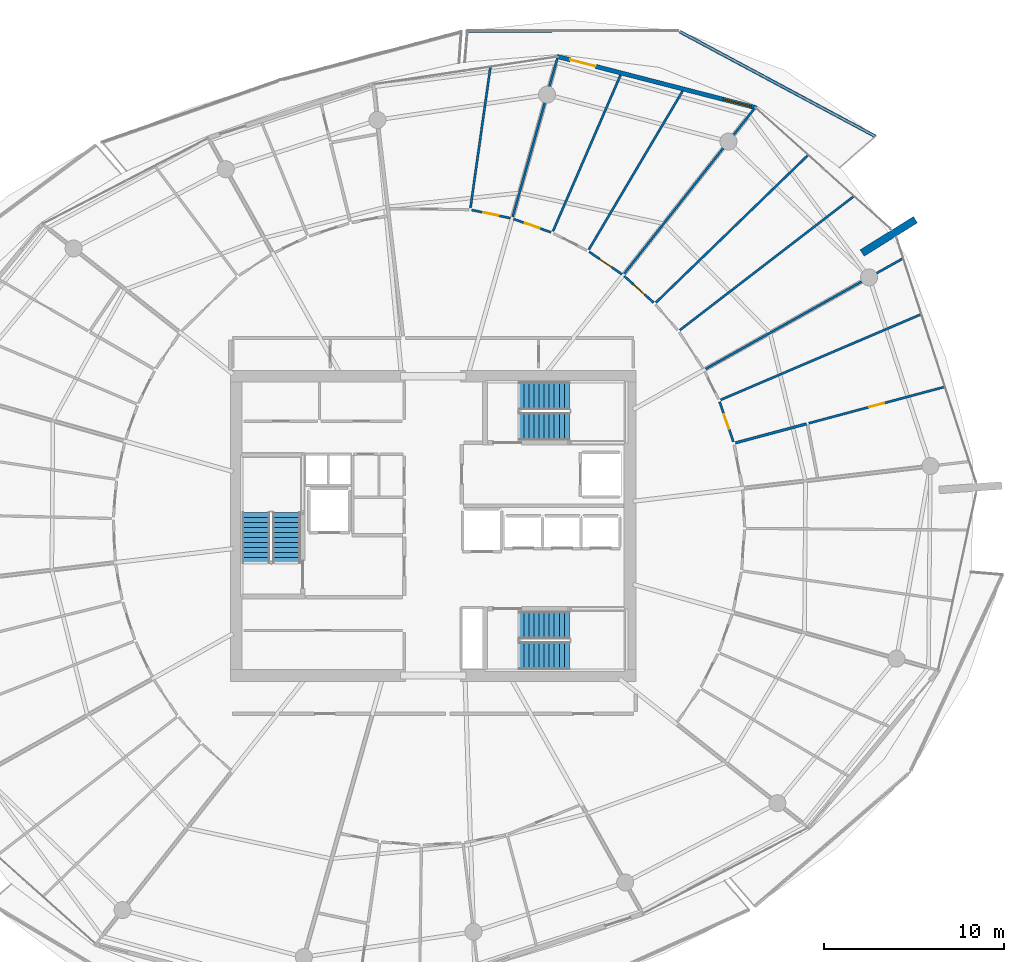
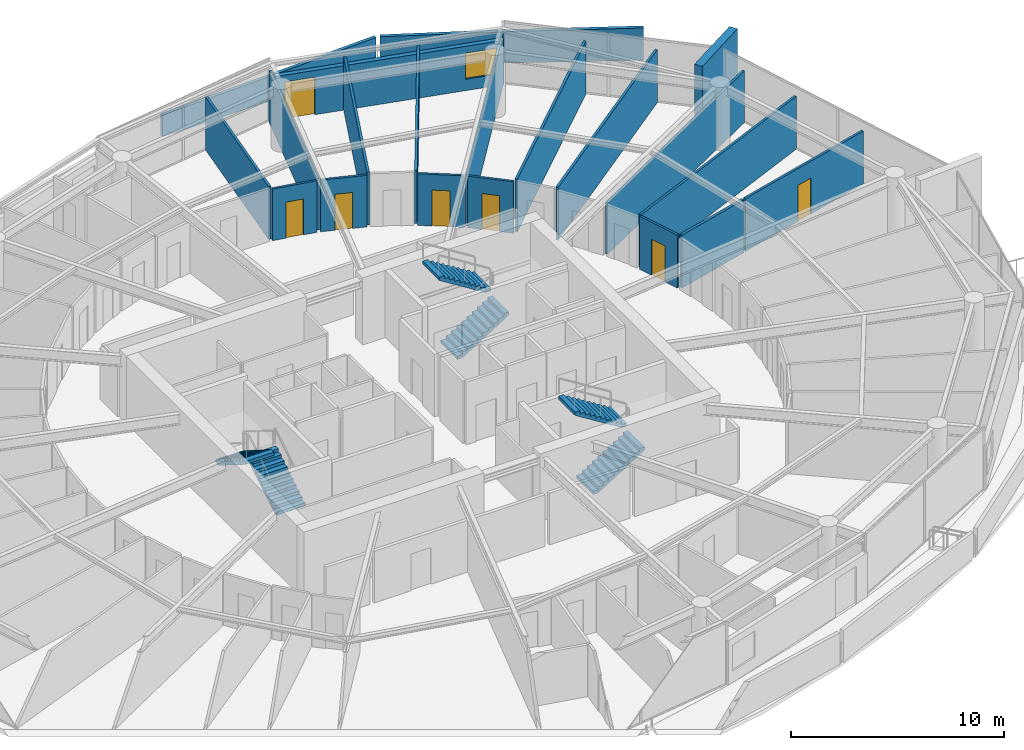
# One storey, part 23 of 30: 20 walls, 7 doors, 6 stair flights, 1 window, 8 openings, 3 elements without a shape of their own.
"""IFC4 building model written with IfcOpenShell, lengths in metres."""

from ifc_helpers import new_model, si_unit, direction, frame, frame_2d, origin, place, context, subcontext, project, spatial, polyline, rectangle, outline, extrude, material, layer, layer_set, type_object, element, fill, aggregate, save


model = new_model("IFC4")

# Units and contexts
model_context = context("Model", 3, precision=1e-05, world=origin(), true_north=direction((0.0, 1.0)))
body_context = subcontext(model_context, "Body", "Model", "MODEL_VIEW")
ifc_project = project(units=[si_unit("LENGTHUNIT", "METRE"), si_unit("AREAUNIT", "SQUARE_METRE"), si_unit("VOLUMEUNIT", "CUBIC_METRE"), si_unit("PLANEANGLEUNIT", "RADIAN"), si_unit("MASSUNIT", "GRAM", prefix="KILO")], contexts=[model_context])

# Site, building, storey
site_placement = place(None, origin())
site = spatial("IfcSite", under=ifc_project, at=site_placement, CompositionType="ELEMENT")
building_placement = place(site_placement, origin())
building = spatial("IfcBuilding", under=site, at=building_placement, Name="Kazma Halo Residences", CompositionType="ELEMENT")
storey_placement = place(building_placement, frame((0.0, 0.0, 263.64990234375)))
storey = spatial("IfcBuildingStorey", under=building, at=storey_placement, Name="L66", CompositionType="ELEMENT", Elevation=263.64990234375)

# Walls
ifc_material_1 = material(Name="White Concrete C50/60 Balustrade", Category="concrete")
ifc_layer_1 = layer(ifc_material_1, 0.179931640625)
ifc_layer_set_1 = layer_set([ifc_layer_1], Name="White Concrete C50/60 Balustrade")
wall_type_1 = type_object("IfcWallType", Name="WL-BAL-WAVE-180", PredefinedType="PARAPET", material=ifc_layer_set_1)
wall_1_placement = place(storey_placement, frame((73.03759765625, 63.650146484375, 0.0), z_axis=(0.0, 0.0, 1.0), x_axis=(-0.881580944095, 0.472032879161, 0.0)))
element("IfcWall", 1, at=wall_1_placement, inside=storey, type_object=wall_type_1, Name="L66 white wave balustrade wall NE.1", PredefinedType="PARAPET", context=body_context, shape_type="SweptSolid", body=[
    extrude(outline(polyline([(0.0, 0.0), (12.3623046875, 0.0), (12.3623046875, 1.632080078125), (6.18115234375, 1.798095703125), (0.0, 1.860107421875), (0.0, 0.0)])), frame((0.0, 0.08984375, 0.0), z_axis=(0.0, -1.0, 0.0), x_axis=(1.0, 0.0, 0.0)), (0.0, 0.0, 1.0), 0.179931640625),
])
wall_2_placement = place(storey_placement, frame((61.913330078125, 69.5419921875, 0.0), z_axis=(0.0, 0.0, 1.0), x_axis=(-0.999999919723, -0.000400691688, 0.0)))
element("IfcWall", 2, at=wall_2_placement, inside=storey, type_object=wall_type_1, Name="L66 white wave balustrade wall NE.2", PredefinedType="PARAPET", context=body_context, shape_type="SweptSolid", body=[
    extrude(outline(polyline([(0.0, 0.0), (11.57666015625, 0.0), (11.576904296875, 1.233154296875), (5.788330078125, 1.418212890625), (0.0, 1.632080078125), (0.0, 0.0)])), frame((0.0, 0.08984375, 0.0), z_axis=(0.0, -1.0, 0.0), x_axis=(1.0, 0.0, 0.0)), (0.0, 0.0, 1.0), 0.179931640625),
])
ifc_material_2 = material(Name="Pale Concrete C60/75", Category="concrete")
ifc_layer_2 = layer(ifc_material_2, 0.419921875)
ifc_layer_set_2 = layer_set([ifc_layer_2], Name="Pale Concrete C60/75")
wall_type_2 = type_object("IfcWallType", Name="WL-BLADE-420", PredefinedType="SOLIDWALL", material=ifc_layer_set_2)
wall_3_placement = place(storey_placement, frame((72.281494140625, 57.172607421875, 0.0), z_axis=(0.0, 0.0, 1.0), x_axis=(0.848033572426, 0.529942506352, 0.0)))
element("IfcWall", 3, at=wall_3_placement, inside=storey, type_object=wall_type_2, Name="L66 pale concrete structural blade fin wall BW-01", PredefinedType="SOLIDWALL", context=body_context, shape_type="SweptSolid", body=[
    extrude(rectangle(XDim=3.5, YDim=0.419921875, at=frame_2d((1.75, 0.0))), origin(), (0.0, 0.0, 1.0), 3.85009765625),
])

# Wall, openings, door, window
ifc_material_3 = material(Name="Insulated Pale-Metal Composite Wall")
ifc_layer_3 = layer(ifc_material_3, 0.239990234375)
ifc_layer_set_3 = layer_set([ifc_layer_3], Name="Insulated Pale-Metal Composite Wall")
wall_type_3 = type_object("IfcWallType", Name="WL-EXT-HOST-240", PredefinedType="SOLIDWALL", material=ifc_layer_set_3)
wall_4_placement = place(storey_placement, frame((66.386474609375, 65.2490234375, 0.0), z_axis=(0.0, 0.0, 1.0), x_axis=(-0.968343758421, 0.249620442927, 0.0)))
wall_4 = element("IfcWall", 4, at=wall_4_placement, inside=storey, type_object=wall_type_3, Name="L66 exterior terrace-access wall B02", PredefinedType="SOLIDWALL", context=body_context, shape_type="SweptSolid", body=[
    extrude(rectangle(XDim=11.438232421875, YDim=0.239990234375, at=frame_2d((5.71923828125, 0.0))), origin(), (0.0, 0.0, 1.0), 2.5400390625),
])
opening_1_placement = place(wall_4_placement, frame((9.21826171875, 0.0, 0.0)))
opening_1 = element("IfcOpeningElement", 5, at=opening_1_placement, cuts=wall_4, Name="Opening DTR-1600", PredefinedType="OPENING", context=body_context, shape_type="SweptSolid", body=[
    extrude(rectangle(XDim=1.449951171875, YDim=2.14990234375, at=frame_2d((0.72509765625, 1.074951171875))), frame((0.0, 0.1298828125, 0.0), z_axis=(0.0, -1.0, 0.0), x_axis=(1.0, 0.0, 0.0)), (0.0, 0.0, 1.0), 0.260009765625),
])
opening_2_placement = place(wall_4_placement, frame((0.280029296875, 0.0, 0.64990234375)))
opening_2 = element("IfcOpeningElement", 6, at=opening_2_placement, cuts=wall_4, Name="Opening W-1800", PredefinedType="OPENING", context=body_context, shape_type="SweptSolid", body=[
    extrude(rectangle(XDim=1.60009765625, YDim=1.5, at=frame_2d((0.800048828125, 0.75))), frame((0.0, 0.1298828125, 0.0), z_axis=(0.0, -1.0, 0.0), x_axis=(1.0, 0.0, 0.0)), (0.0, 0.0, 1.0), 0.260009765625),
])
ifc_material_4 = material(Name="Aluminium AW-6063 T6 Double-Glazed Terrace Door", Category="aluminium")
door_type_1 = type_object("IfcDoorType", Name="DR-EXT-TERR-1600", OperationType="NOTDEFINED", PredefinedType="DOOR", material=ifc_material_4)
door_1_placement = place(opening_1_placement, origin())
door_1 = element("IfcDoor", 7, at=door_1_placement, inside=storey, type_object=door_type_1, Name="L66 B02 balcony terrace door", OperationType="DOUBLE_DOOR_SLIDING", OverallHeight=2.14990234375, OverallWidth=1.449951171875, PredefinedType="DOOR", context=body_context, shape_type="SweptSolid", body=[
    extrude(rectangle(XDim=1.449951171875, YDim=2.14990234375, at=frame_2d((0.72509765625, 1.074951171875))), frame((0.0, 0.02490234375, 0.0), z_axis=(0.0, -1.0, 0.0), x_axis=(1.0, 0.0, 0.0)), (0.0, 0.0, 1.0), 0.050048828125),
])
fill(opening_1, door_1)
ifc_material_5 = material(Name="Clear Triple-Silver Low-E Glass in Aluminium AW-6063 T6 Frame", Category="aluminium")
window_type = type_object("IfcWindowType", Name="WIN-RES-1800", PartitioningType="DOUBLE_PANEL_VERTICAL", PredefinedType="WINDOW", material=ifc_material_5)
window_placement = place(opening_2_placement, origin())
window = element("IfcWindow", 8, at=window_placement, inside=storey, type_object=window_type, Name="L66 B02 apartment window", OverallHeight=1.5, OverallWidth=1.60009765625, PartitioningType="SINGLE_PANEL", PredefinedType="WINDOW", context=body_context, shape_type="SweptSolid", body=[
    extrude(rectangle(XDim=1.60009765625, YDim=1.5, at=frame_2d((0.800048828125, 0.75))), frame((0.0, 0.030029296875, 0.0), z_axis=(0.0, -1.0, 0.0), x_axis=(1.0, 0.0, 0.0)), (0.0, 0.0, 1.0), 0.06005859375),
])
fill(opening_2, window)

# Wall, opening, door
ifc_material_6 = material(Name="Gypsum Plasterboard Partition")
ifc_layer_4 = layer(ifc_material_6, 0.125)
ifc_layer_set_4 = layer_set([ifc_layer_4], Name="Gypsum Plasterboard Partition")
wall_type_4 = type_object("IfcWallType", Name="WL-PART-125", PredefinedType="PARTITIONING", material=ifc_layer_set_4)
wall_5_placement = place(storey_placement, frame((69.31640625, 47.705810546875, 0.0), z_axis=(0.0, 0.0, 1.0), x_axis=(0.965994578585, 0.258562321587, 0.0)))
wall_5 = element("IfcWall", 9, at=wall_5_placement, inside=storey, type_object=wall_type_4, Name="L66 Apartment 2 Gulf Walk-In Wardrobe partition wall", PredefinedType="PARTITIONING", context=body_context, shape_type="SweptSolid", body=[
    extrude(rectangle(XDim=7.819091796875, YDim=0.125, at=frame_2d((3.90966796875, 0.0))), origin(), (0.0, 0.0, 1.0), 3.030029296875),
])
opening_3_placement = place(wall_5_placement, frame((3.484619140625, 0.0, 0.0)))
opening_3 = element("IfcOpeningElement", 10, at=opening_3_placement, cuts=wall_5, Name="Opening DB-900", PredefinedType="OPENING", context=body_context, shape_type="SweptSolid", body=[
    extrude(rectangle(XDim=0.85009765625, YDim=2.06005859375, at=frame_2d((0.425048828125, 1.030029296875))), frame((0.0, 0.072509765625, 0.0), z_axis=(0.0, -1.0, 0.0), x_axis=(1.0, 0.0, 0.0)), (0.0, 0.0, 1.0), 0.14501953125),
])
ifc_material_7 = material(Name="Moisture-Sealed Timber Leaf", Category="wood")
door_type_2 = type_object("IfcDoorType", Name="DR-BTH-900", OperationType="NOTDEFINED", PredefinedType="DOOR", material=ifc_material_7)
door_2_placement = place(opening_3_placement, origin())
door_2 = element("IfcDoor", 11, at=door_2_placement, inside=storey, type_object=door_type_2, Name="L66 Apartment 2 Gulf Walk-In Wardrobe door", OperationType="SINGLE_SWING_LEFT", OverallHeight=2.06005859375, OverallWidth=0.85009765625, PredefinedType="DOOR", context=body_context, shape_type="SweptSolid", body=[
    extrude(rectangle(XDim=0.85009765625, YDim=2.06005859375, at=frame_2d((0.425048828125, 1.030029296875))), frame((0.0, 0.02490234375, 0.0), z_axis=(0.0, -1.0, 0.0), x_axis=(1.0, 0.0, 0.0)), (0.0, 0.0, 1.0), 0.050048828125),
])
fill(opening_3, door_2)

# Wall
wall_6_placement = place(storey_placement, frame((64.4140625, 49.006591796875, 0.0), z_axis=(0.0, 0.0, 1.0), x_axis=(0.919713089111, 0.392591178858, 0.0)))
element("IfcWall", 12, at=wall_6_placement, inside=storey, type_object=wall_type_4, Name="L66 Apartment 2 suite divider 15", PredefinedType="PARTITIONING", context=body_context, shape_type="SweptSolid", body=[
    extrude(rectangle(XDim=12.1171875, YDim=0.125, at=frame_2d((6.05859375, 0.0))), origin(), (0.0, 0.0, 1.0), 3.030029296875),
])

# Wall, opening, door
wall_7_placement = place(storey_placement, frame((65.123779296875, 46.676513671875, 0.0), z_axis=(0.0, 0.0, 1.0), x_axis=(-0.326410460833, 0.945228126464, 0.0)))
wall_7 = element("IfcWall", 13, at=wall_7_placement, inside=storey, type_object=wall_type_4, Name="L66 Apartment 2 Primary Formal Dining Room hall wall", PredefinedType="PARTITIONING", context=body_context, shape_type="SweptSolid", body=[
    extrude(rectangle(XDim=2.347900390625, YDim=0.125, at=frame_2d((1.173828125, 0.0))), origin(), (0.0, 0.0, 1.0), 3.030029296875),
])
opening_4_placement = place(wall_7_placement, frame((0.748779296875, 0.0, 0.0)))
opening_4 = element("IfcOpeningElement", 14, at=opening_4_placement, cuts=wall_7, Name="Opening DB-900", PredefinedType="OPENING", context=body_context, shape_type="SweptSolid", body=[
    extrude(rectangle(XDim=0.85009765625, YDim=2.06005859375, at=frame_2d((0.425048828125, 1.030029296875))), frame((0.0, 0.072509765625, 0.0), z_axis=(0.0, -1.0, 0.0), x_axis=(1.0, 0.0, 0.0)), (0.0, 0.0, 1.0), 0.14501953125),
])
door_3_placement = place(opening_4_placement, origin())
door_3 = element("IfcDoor", 15, at=door_3_placement, inside=storey, type_object=door_type_2, Name="L66 Apartment 2 Primary Formal Dining Room door", OperationType="SINGLE_SWING_RIGHT", OverallHeight=2.06005859375, OverallWidth=0.85009765625, PredefinedType="DOOR", context=body_context, shape_type="SweptSolid", body=[
    extrude(rectangle(XDim=0.85009765625, YDim=2.06005859375, at=frame_2d((0.425048828125, 1.030029296875))), frame((0.0, 0.02490234375, 0.0), z_axis=(0.0, -1.0, 0.0), x_axis=(1.0, 0.0, 0.0)), (0.0, 0.0, 1.0), 0.050048828125),
])
fill(opening_4, door_3)

# Walls
wall_8_placement = place(storey_placement, frame((63.580078125, 50.725341796875, 0.0), z_axis=(0.0, 0.0, 1.0), x_axis=(0.872497075405, 0.488619333847, 0.0)))
element("IfcWall", 16, at=wall_8_placement, inside=storey, type_object=wall_type_4, Name="L66 Apartment 2 radial partition 0", PredefinedType="PARTITIONING", context=body_context, shape_type="SweptSolid", body=[
    extrude(rectangle(XDim=12.57275390625, YDim=0.125, at=frame_2d((6.286376953125, 0.0))), origin(), (0.0, 0.0, 1.0), 2.95703125),
])
wall_9_placement = place(storey_placement, frame((62.144775390625, 52.883056640625, 0.0), z_axis=(0.0, 0.0, 1.0), x_axis=(0.792559235325, 0.609794931514, 0.0)))
element("IfcWall", 17, at=wall_9_placement, inside=storey, type_object=wall_type_4, Name="L66 Apartment 2 bay wall 1 0", PredefinedType="PARTITIONING", context=body_context, shape_type="SweptSolid", body=[
    extrude(rectangle(XDim=12.19482421875, YDim=0.125, at=frame_2d((6.097412109375, 0.0))), origin(), (0.0, 0.0, 1.0), 3.030029296875),
])
wall_10_placement = place(storey_placement, frame((60.81640625, 54.419921875, 0.0), z_axis=(0.0, 0.0, 1.0), x_axis=(0.718125449467, 0.695913671965, 0.0)))
element("IfcWall", 18, at=wall_10_placement, inside=storey, type_object=wall_type_4, Name="L66 Apartment 2 bay wall 2 0", PredefinedType="PARTITIONING", context=body_context, shape_type="SweptSolid", body=[
    extrude(rectangle(XDim=11.760986328125, YDim=0.125, at=frame_2d((5.88037109375, 0.0))), origin(), (0.0, 0.0, 1.0), 3.030029296875),
])

# Wall, opening, door
wall_11_placement = place(storey_placement, frame((60.6923828125, 54.410888671875, 0.0), z_axis=(0.0, 0.0, 1.0), x_axis=(-0.742216123335, 0.670160597365, 0.0)))
wall_11 = element("IfcWall", 19, at=wall_11_placement, inside=storey, type_object=wall_type_4, Name="L66 Apartment 2 North Master Bedroom hall wall", PredefinedType="PARTITIONING", context=body_context, shape_type="SweptSolid", body=[
    extrude(rectangle(XDim=2.209228515625, YDim=0.125, at=frame_2d((1.1044921875, 0.0))), origin(), (0.0, 0.0, 1.0), 2.95703125),
])
opening_5_placement = place(wall_11_placement, frame((0.6796875, 0.0, 0.0)))
opening_5 = element("IfcOpeningElement", 20, at=opening_5_placement, cuts=wall_11, Name="Opening DB-900", PredefinedType="OPENING", context=body_context, shape_type="SweptSolid", body=[
    extrude(rectangle(XDim=0.85009765625, YDim=2.06005859375, at=frame_2d((0.425048828125, 1.030029296875))), frame((0.0, 0.072509765625, 0.0), z_axis=(0.0, -1.0, 0.0), x_axis=(1.0, 0.0, 0.0)), (0.0, 0.0, 1.0), 0.14501953125),
])
door_4_placement = place(opening_5_placement, origin())
door_4 = element("IfcDoor", 21, at=door_4_placement, inside=storey, type_object=door_type_2, Name="L66 Apartment 2 North Master Bedroom door", OperationType="SINGLE_SWING_RIGHT", OverallHeight=2.06005859375, OverallWidth=0.85009765625, PredefinedType="DOOR", context=body_context, shape_type="SweptSolid", body=[
    extrude(rectangle(XDim=0.85009765625, YDim=2.06005859375, at=frame_2d((0.425048828125, 1.030029296875))), frame((0.0, 0.02490234375, 0.0), z_axis=(0.0, -1.0, 0.0), x_axis=(1.0, 0.0, 0.0)), (0.0, 0.0, 1.0), 0.050048828125),
])
fill(opening_5, door_4)

# Walls
wall_12_placement = place(storey_placement, frame((59.05517578125, 56.0234375, 0.0), z_axis=(0.0, 0.0, 1.0), x_axis=(0.619096573209, 0.785314862358, 0.0)))
element("IfcWall", 22, at=wall_12_placement, inside=storey, type_object=wall_type_4, Name="L66 Apartment 2 radial partition 1", PredefinedType="PARTITIONING", context=body_context, shape_type="SweptSolid", body=[
    extrude(rectangle(XDim=11.738525390625, YDim=0.125, at=frame_2d((5.869140625, 0.0))), origin(), (0.0, 0.0, 1.0), 2.95703125),
])
wall_13_placement = place(storey_placement, frame((57.084716796875, 57.36181640625, 0.0), z_axis=(0.0, 0.0, 1.0), x_axis=(0.509063310171, 0.860729078304, 0.0)))
element("IfcWall", 23, at=wall_13_placement, inside=storey, type_object=wall_type_4, Name="L66 Apartment 2 bay wall 1 1", PredefinedType="PARTITIONING", context=body_context, shape_type="SweptSolid", body=[
    extrude(rectangle(XDim=10.243408203125, YDim=0.125, at=frame_2d((5.12158203125, 0.0))), origin(), (0.0, 0.0, 1.0), 3.030029296875),
])
wall_14_placement = place(storey_placement, frame((55.087890625, 58.379150390625, 0.0), z_axis=(0.0, 0.0, 1.0), x_axis=(0.397148424815, 0.917754394523, 0.0)))
element("IfcWall", 24, at=wall_14_placement, inside=storey, type_object=wall_type_4, Name="L66 Apartment 2 bay wall 2 1", PredefinedType="PARTITIONING", context=body_context, shape_type="SweptSolid", body=[
    extrude(rectangle(XDim=9.46435546875, YDim=0.125, at=frame_2d((4.732177734375, 0.0))), origin(), (0.0, 0.0, 1.0), 3.030029296875),
])

# Wall, opening, door
wall_15_placement = place(storey_placement, frame((58.92724609375, 55.989990234375, 0.0), z_axis=(0.0, 0.0, 1.0), x_axis=(-0.824840756185, 0.565365127096, 0.0)))
wall_15 = element("IfcWall", 25, at=wall_15_placement, inside=storey, type_object=wall_type_4, Name="L66 Apartment 2 South Bedroom hall wall", PredefinedType="PARTITIONING", context=body_context, shape_type="SweptSolid", body=[
    extrude(rectangle(XDim=2.209228515625, YDim=0.125, at=frame_2d((1.1044921875, 0.0))), origin(), (0.0, 0.0, 1.0), 2.95703125),
])
opening_6_placement = place(wall_15_placement, frame((0.6796875, 0.0, 0.0)))
opening_6 = element("IfcOpeningElement", 26, at=opening_6_placement, cuts=wall_15, Name="Opening DB-900", PredefinedType="OPENING", context=body_context, shape_type="SweptSolid", body=[
    extrude(rectangle(XDim=0.85009765625, YDim=2.06005859375, at=frame_2d((0.425048828125, 1.030029296875))), frame((0.0, 0.072509765625, 0.0), z_axis=(0.0, -1.0, 0.0), x_axis=(1.0, 0.0, 0.0)), (0.0, 0.0, 1.0), 0.14501953125),
])
door_5_placement = place(opening_6_placement, origin())
door_5 = element("IfcDoor", 27, at=door_5_placement, inside=storey, type_object=door_type_2, Name="L66 Apartment 2 South Bedroom door", OperationType="SINGLE_SWING_LEFT", OverallHeight=2.06005859375, OverallWidth=0.85009765625, PredefinedType="DOOR", context=body_context, shape_type="SweptSolid", body=[
    extrude(rectangle(XDim=0.85009765625, YDim=2.06005859375, at=frame_2d((0.425048828125, 1.030029296875))), frame((0.0, 0.02490234375, 0.0), z_axis=(0.0, -1.0, 0.0), x_axis=(1.0, 0.0, 0.0)), (0.0, 0.0, 1.0), 0.050048828125),
])
fill(opening_6, door_5)

wall_16_placement = place(storey_placement, frame((54.976806640625, 58.323486328125, 0.0), z_axis=(0.0, 0.0, 1.0), x_axis=(-0.942218566557, 0.334998765423, 0.0)))
wall_16 = element("IfcWall", 28, at=wall_16_placement, inside=storey, type_object=wall_type_4, Name="L66 Apartment 2 Outer Bedroom hall wall", PredefinedType="PARTITIONING", context=body_context, shape_type="SweptSolid", body=[
    extrude(rectangle(XDim=2.208984375, YDim=0.125, at=frame_2d((1.1044921875, 0.0))), origin(), (0.0, 0.0, 1.0), 2.95703125),
])
opening_7_placement = place(wall_16_placement, frame((0.679443359375, 0.0, 0.0)))
opening_7 = element("IfcOpeningElement", 29, at=opening_7_placement, cuts=wall_16, Name="Opening DB-900", PredefinedType="OPENING", context=body_context, shape_type="SweptSolid", body=[
    extrude(rectangle(XDim=0.85009765625, YDim=2.06005859375, at=frame_2d((0.425048828125, 1.030029296875))), frame((0.0, 0.072509765625, 0.0), z_axis=(0.0, -1.0, 0.0), x_axis=(1.0, 0.0, 0.0)), (0.0, 0.0, 1.0), 0.14501953125),
])
door_6_placement = place(opening_7_placement, origin())
door_6 = element("IfcDoor", 30, at=door_6_placement, inside=storey, type_object=door_type_2, Name="L66 Apartment 2 Outer Bedroom door", OperationType="SINGLE_SWING_LEFT", OverallHeight=2.06005859375, OverallWidth=0.85009765625, PredefinedType="DOOR", context=body_context, shape_type="SweptSolid", body=[
    extrude(rectangle(XDim=0.85009765625, YDim=2.06005859375, at=frame_2d((0.425048828125, 1.030029296875))), frame((0.0, 0.02490234375, 0.0), z_axis=(0.0, -1.0, 0.0), x_axis=(1.0, 0.0, 0.0)), (0.0, 0.0, 1.0), 0.050048828125),
])
fill(opening_7, door_6)

# Walls
wall_17_placement = place(storey_placement, frame((52.84716796875, 59.1865234375, 0.0), z_axis=(0.0, 0.0, 1.0), x_axis=(0.271434117828, 0.96245702225, 0.0)))
element("IfcWall", 31, at=wall_17_placement, inside=storey, type_object=wall_type_4, Name="L66 Apartment 2 radial partition 2", PredefinedType="PARTITIONING", context=body_context, shape_type="SweptSolid", body=[
    extrude(rectangle(XDim=9.127685546875, YDim=0.125, at=frame_2d((4.56396484375, 0.0))), origin(), (0.0, 0.0, 1.0), 2.95703125),
])
wall_18_placement = place(storey_placement, frame((50.500732421875, 59.6708984375, 0.0), z_axis=(0.0, 0.0, 1.0), x_axis=(0.140142335256, 0.990131367986, 0.0)))
element("IfcWall", 32, at=wall_18_placement, inside=storey, type_object=wall_type_4, Name="L66 Apartment 2 mid-bay wall 2", PredefinedType="PARTITIONING", context=body_context, shape_type="SweptSolid", body=[
    extrude(rectangle(XDim=7.910888671875, YDim=0.125, at=frame_2d((3.95556640625, 0.0))), origin(), (0.0, 0.0, 1.0), 3.030029296875),
])

# Wall, opening, door
wall_19_placement = place(storey_placement, frame((52.72216796875, 59.11083984375, 0.0), z_axis=(0.0, 0.0, 1.0), x_axis=(-0.978503905914, 0.206228286399, 0.0)))
wall_19 = element("IfcWall", 33, at=wall_19_placement, inside=storey, type_object=wall_type_4, Name="L66 Apartment 2 Corner Bedroom hall wall", PredefinedType="PARTITIONING", context=body_context, shape_type="SweptSolid", body=[
    extrude(rectangle(XDim=2.203125, YDim=0.125, at=frame_2d((1.1015625, 0.0))), origin(), (0.0, 0.0, 1.0), 2.95703125),
])
opening_8_placement = place(wall_19_placement, frame((0.676513671875, 0.0, 0.0)))
opening_8 = element("IfcOpeningElement", 34, at=opening_8_placement, cuts=wall_19, Name="Opening DB-900", PredefinedType="OPENING", context=body_context, shape_type="SweptSolid", body=[
    extrude(rectangle(XDim=0.85009765625, YDim=2.06005859375, at=frame_2d((0.425048828125, 1.030029296875))), frame((0.0, 0.072509765625, 0.0), z_axis=(0.0, -1.0, 0.0), x_axis=(1.0, 0.0, 0.0)), (0.0, 0.0, 1.0), 0.14501953125),
])
door_7_placement = place(opening_8_placement, origin())
door_7 = element("IfcDoor", 35, at=door_7_placement, inside=storey, type_object=door_type_2, Name="L66 Apartment 2 Corner Bedroom door", OperationType="SINGLE_SWING_LEFT", OverallHeight=2.06005859375, OverallWidth=0.85009765625, PredefinedType="DOOR", context=body_context, shape_type="SweptSolid", body=[
    extrude(rectangle(XDim=0.85009765625, YDim=2.06005859375, at=frame_2d((0.425048828125, 1.030029296875))), frame((0.0, 0.02490234375, 0.0), z_axis=(0.0, -1.0, 0.0), x_axis=(1.0, 0.0, 0.0)), (0.0, 0.0, 1.0), 0.050048828125),
])
fill(opening_8, door_7)

# Wall
ifc_material_8 = material(Name="Moisture-Resistant Gypsum")
ifc_layer_5 = layer(ifc_material_8, 0.14990234375)
ifc_layer_set_5 = layer_set([ifc_layer_5], Name="Moisture-Resistant Gypsum")
wall_type_5 = type_object("IfcWallType", Name="WL-WET-150", PredefinedType="PARTITIONING", material=ifc_layer_set_5)
wall_20_placement = place(storey_placement, frame((65.239990234375, 46.61474609375, 0.0), z_axis=(0.0, 0.0, 1.0), x_axis=(0.9660037078, 0.258528212228, 0.0)))
element("IfcWall", 36, at=wall_20_placement, inside=storey, type_object=wall_type_5, Name="L66 Apartment 2 Sky En-Suite Bathroom side wall", PredefinedType="PARTITIONING", context=body_context, shape_type="SweptSolid", body=[
    extrude(rectangle(XDim=4.090087890625, YDim=0.14990234375, at=frame_2d((2.044921875, 0.0))), origin(), (0.0, 0.0, 1.0), 3.030029296875),
])

# Stair, stair flights
ifc_material_9 = material(Name="Concrete C50/60", Category="concrete")
stair_type = type_object("IfcStairType", Name="STR-RES2", PredefinedType="HALF_TURN_STAIR", material=ifc_material_9)
stair_1_placement = place(storey_placement, origin())
stair_1 = element("IfcStair", 37, at=stair_1_placement, inside=storey, type_object=stair_type, Name="L66 Core exit stair ST-01", PredefinedType="HALF_TURN_STAIR")
stair_flight_type = type_object("IfcStairFlightType", Name="STR-RES2-FLT", PredefinedType="STRAIGHT", material=ifc_material_9)
stair_flight_1_placement = place(storey_placement, frame((40.27490234375, 39.949951171875, 0.0), z_axis=(0.0, 0.0, 1.0), x_axis=(0.0, 1.0, 0.0)))
stair_flight_1 = element("IfcStairFlight", 38, at=stair_flight_1_placement, type_object=stair_flight_type, Name="ST-01 flight 1", NumberOfRisers=11, NumberOfTreads=10, PredefinedType="STRAIGHT", RiserHeight=0.175, TreadLength=0.28, context=body_context, shape_type="SweptSolid", body=[
    extrude(outline(polyline([(0.0, 0.0), (0.0, 0.175048828125), (0.280029296875, 0.175048828125), (0.280029296875, 0.35009765625), (0.56005859375, 0.35009765625), (0.56005859375, 0.52490234375), (0.840087890625, 0.52490234375), (0.840087890625, 0.699951171875), (1.1201171875, 0.699951171875), (1.1201171875, 0.875), (1.39990234375, 0.875), (1.39990234375, 1.050048828125), (1.679931640625, 1.050048828125), (1.679931640625, 1.22509765625), (1.9599609375, 1.22509765625), (1.9599609375, 1.39990234375), (2.239990234375, 1.39990234375), (2.239990234375, 1.574951171875), (2.52001953125, 1.574951171875), (2.52001953125, 1.75), (2.800048828125, 1.75), (2.800048828125, 1.925048828125), (2.800048828125, 1.5732421875), (0.28271484375, 0.0), (0.0, 0.0)])), frame((0.0, 0.77490234375, 0.0), z_axis=(0.0, -1.0, 0.0), x_axis=(1.0, 0.0, 0.0)), (0.0, 0.0, 1.0), 1.550048828125),
])
stair_flight_2_placement = place(storey_placement, frame((38.574951171875, 42.75, 1.925048828125), z_axis=(0.0, 0.0, 1.0), x_axis=(0.0, -1.0, 0.0)))
stair_flight_2 = element("IfcStairFlight", 39, at=stair_flight_2_placement, type_object=stair_flight_type, Name="ST-01 flight 2", NumberOfRisers=11, NumberOfTreads=10, PredefinedType="STRAIGHT", RiserHeight=0.175, TreadLength=0.28, context=body_context, shape_type="SweptSolid", body=[
    extrude(outline(polyline([(0.0, 0.0), (0.0, 0.175048828125), (0.280029296875, 0.175048828125), (0.280029296875, 0.35009765625), (0.56005859375, 0.35009765625), (0.56005859375, 0.52490234375), (0.840087890625, 0.52490234375), (0.840087890625, 0.699951171875), (1.1201171875, 0.699951171875), (1.1201171875, 0.875), (1.39990234375, 0.875), (1.39990234375, 1.050048828125), (1.679931640625, 1.050048828125), (1.679931640625, 1.22509765625), (1.9599609375, 1.22509765625), (1.9599609375, 1.39990234375), (2.239990234375, 1.39990234375), (2.239990234375, 1.574951171875), (2.52001953125, 1.574951171875), (2.52001953125, 1.75), (2.800048828125, 1.75), (2.800048828125, 1.925048828125), (2.800048828125, 1.5732421875), (0.28271484375, 0.0), (0.0, 0.0)])), frame((0.0, 0.77490234375, 0.0), z_axis=(0.0, -1.0, 0.0), x_axis=(1.0, 0.0, 0.0)), (0.0, 0.0, 1.0), 1.550048828125),
])
aggregate(stair_1, [stair_flight_1, stair_flight_2])

stair_2_placement = place(storey_placement, origin())
stair_2 = element("IfcStair", 40, at=stair_2_placement, inside=storey, type_object=stair_type, Name="L66 Core exit stair ST-02", PredefinedType="HALF_TURN_STAIR")
stair_flight_3_placement = place(storey_placement, frame((53.199951171875, 47.52490234375, 0.0), z_axis=(0.0, 0.0, 1.0), x_axis=(1.0, 0.0, 0.0)))
stair_flight_3 = element("IfcStairFlight", 41, at=stair_flight_3_placement, type_object=stair_flight_type, Name="ST-02 flight 1", NumberOfRisers=11, NumberOfTreads=10, PredefinedType="STRAIGHT", RiserHeight=0.175, TreadLength=0.28, context=body_context, shape_type="SweptSolid", body=[
    extrude(outline(polyline([(0.0, 0.0), (0.0, 0.175048828125), (0.280029296875, 0.175048828125), (0.280029296875, 0.35009765625), (0.56005859375, 0.35009765625), (0.56005859375, 0.52490234375), (0.840087890625, 0.52490234375), (0.840087890625, 0.699951171875), (1.1201171875, 0.699951171875), (1.1201171875, 0.875), (1.39990234375, 0.875), (1.39990234375, 1.050048828125), (1.679931640625, 1.050048828125), (1.679931640625, 1.22509765625), (1.9599609375, 1.22509765625), (1.9599609375, 1.39990234375), (2.239990234375, 1.39990234375), (2.239990234375, 1.574951171875), (2.52001953125, 1.574951171875), (2.52001953125, 1.75), (2.800048828125, 1.75), (2.800048828125, 1.925048828125), (2.800048828125, 1.5732421875), (0.28271484375, 0.0), (0.0, 0.0)])), frame((0.0, 0.77490234375, 0.0), z_axis=(0.0, -1.0, 0.0), x_axis=(1.0, 0.0, 0.0)), (0.0, 0.0, 1.0), 1.550048828125),
])
stair_flight_4_placement = place(storey_placement, frame((56.0, 49.22509765625, 1.925048828125), z_axis=(0.0, 0.0, 1.0), x_axis=(-1.0, 0.0, 0.0)))
stair_flight_4 = element("IfcStairFlight", 42, at=stair_flight_4_placement, type_object=stair_flight_type, Name="ST-02 flight 2", NumberOfRisers=11, NumberOfTreads=10, PredefinedType="STRAIGHT", RiserHeight=0.175, TreadLength=0.28, context=body_context, shape_type="SweptSolid", body=[
    extrude(outline(polyline([(0.0, 0.0), (0.0, 0.175048828125), (0.280029296875, 0.175048828125), (0.280029296875, 0.35009765625), (0.56005859375, 0.35009765625), (0.56005859375, 0.52490234375), (0.840087890625, 0.52490234375), (0.840087890625, 0.699951171875), (1.1201171875, 0.699951171875), (1.1201171875, 0.875), (1.39990234375, 0.875), (1.39990234375, 1.050048828125), (1.679931640625, 1.050048828125), (1.679931640625, 1.22509765625), (1.9599609375, 1.22509765625), (1.9599609375, 1.39990234375), (2.239990234375, 1.39990234375), (2.239990234375, 1.574951171875), (2.52001953125, 1.574951171875), (2.52001953125, 1.75), (2.800048828125, 1.75), (2.800048828125, 1.925048828125), (2.800048828125, 1.5732421875), (0.28271484375, 0.0), (0.0, 0.0)])), frame((0.0, 0.77490234375, 0.0), z_axis=(0.0, -1.0, 0.0), x_axis=(1.0, 0.0, 0.0)), (0.0, 0.0, 1.0), 1.550048828125),
])
aggregate(stair_2, [stair_flight_3, stair_flight_4])

stair_3_placement = place(storey_placement, origin())
stair_3 = element("IfcStair", 43, at=stair_3_placement, inside=storey, type_object=stair_type, Name="L66 Core exit stair ST-03", PredefinedType="HALF_TURN_STAIR")
stair_flight_5_placement = place(storey_placement, frame((53.199951171875, 34.77490234375, 0.0), z_axis=(0.0, 0.0, 1.0), x_axis=(1.0, 0.0, 0.0)))
stair_flight_5 = element("IfcStairFlight", 44, at=stair_flight_5_placement, type_object=stair_flight_type, Name="ST-03 flight 1", NumberOfRisers=11, NumberOfTreads=10, PredefinedType="STRAIGHT", RiserHeight=0.175, TreadLength=0.28, context=body_context, shape_type="SweptSolid", body=[
    extrude(outline(polyline([(0.0, 0.0), (0.0, 0.175048828125), (0.280029296875, 0.175048828125), (0.280029296875, 0.35009765625), (0.56005859375, 0.35009765625), (0.56005859375, 0.52490234375), (0.840087890625, 0.52490234375), (0.840087890625, 0.699951171875), (1.1201171875, 0.699951171875), (1.1201171875, 0.875), (1.39990234375, 0.875), (1.39990234375, 1.050048828125), (1.679931640625, 1.050048828125), (1.679931640625, 1.22509765625), (1.9599609375, 1.22509765625), (1.9599609375, 1.39990234375), (2.239990234375, 1.39990234375), (2.239990234375, 1.574951171875), (2.52001953125, 1.574951171875), (2.52001953125, 1.75), (2.800048828125, 1.75), (2.800048828125, 1.925048828125), (2.800048828125, 1.5732421875), (0.28271484375, 0.0), (0.0, 0.0)])), frame((0.0, 0.77490234375, 0.0), z_axis=(0.0, -1.0, 0.0), x_axis=(1.0, 0.0, 0.0)), (0.0, 0.0, 1.0), 1.550048828125),
])
stair_flight_6_placement = place(storey_placement, frame((56.0, 36.47509765625, 1.925048828125), z_axis=(0.0, 0.0, 1.0), x_axis=(-1.0, 0.0, 0.0)))
stair_flight_6 = element("IfcStairFlight", 45, at=stair_flight_6_placement, type_object=stair_flight_type, Name="ST-03 flight 2", NumberOfRisers=11, NumberOfTreads=10, PredefinedType="STRAIGHT", RiserHeight=0.175, TreadLength=0.28, context=body_context, shape_type="SweptSolid", body=[
    extrude(outline(polyline([(0.0, 0.0), (0.0, 0.175048828125), (0.280029296875, 0.175048828125), (0.280029296875, 0.35009765625), (0.56005859375, 0.35009765625), (0.56005859375, 0.52490234375), (0.840087890625, 0.52490234375), (0.840087890625, 0.699951171875), (1.1201171875, 0.699951171875), (1.1201171875, 0.875), (1.39990234375, 0.875), (1.39990234375, 1.050048828125), (1.679931640625, 1.050048828125), (1.679931640625, 1.22509765625), (1.9599609375, 1.22509765625), (1.9599609375, 1.39990234375), (2.239990234375, 1.39990234375), (2.239990234375, 1.574951171875), (2.52001953125, 1.574951171875), (2.52001953125, 1.75), (2.800048828125, 1.75), (2.800048828125, 1.925048828125), (2.800048828125, 1.5732421875), (0.28271484375, 0.0), (0.0, 0.0)])), frame((0.0, 0.77490234375, 0.0), z_axis=(0.0, -1.0, 0.0), x_axis=(1.0, 0.0, 0.0)), (0.0, 0.0, 1.0), 1.550048828125),
])
aggregate(stair_3, [stair_flight_5, stair_flight_6])

save(model, "model.ifc")
